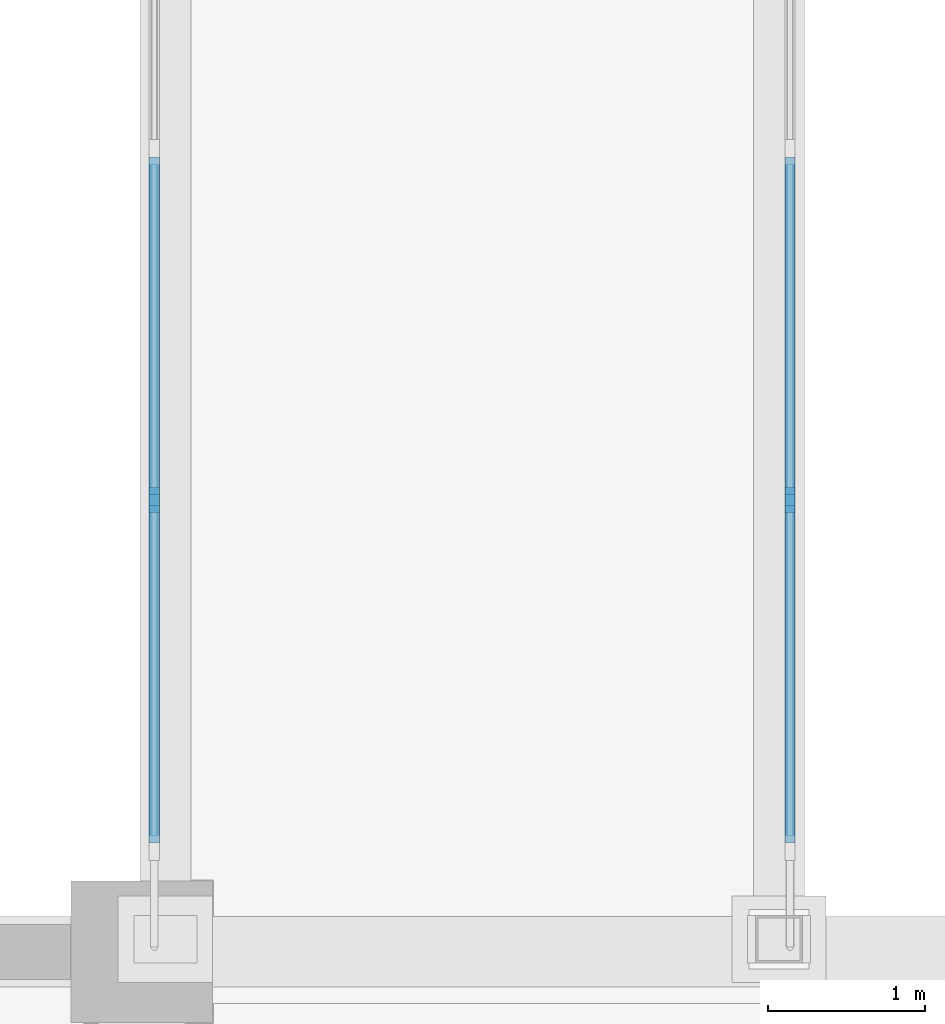
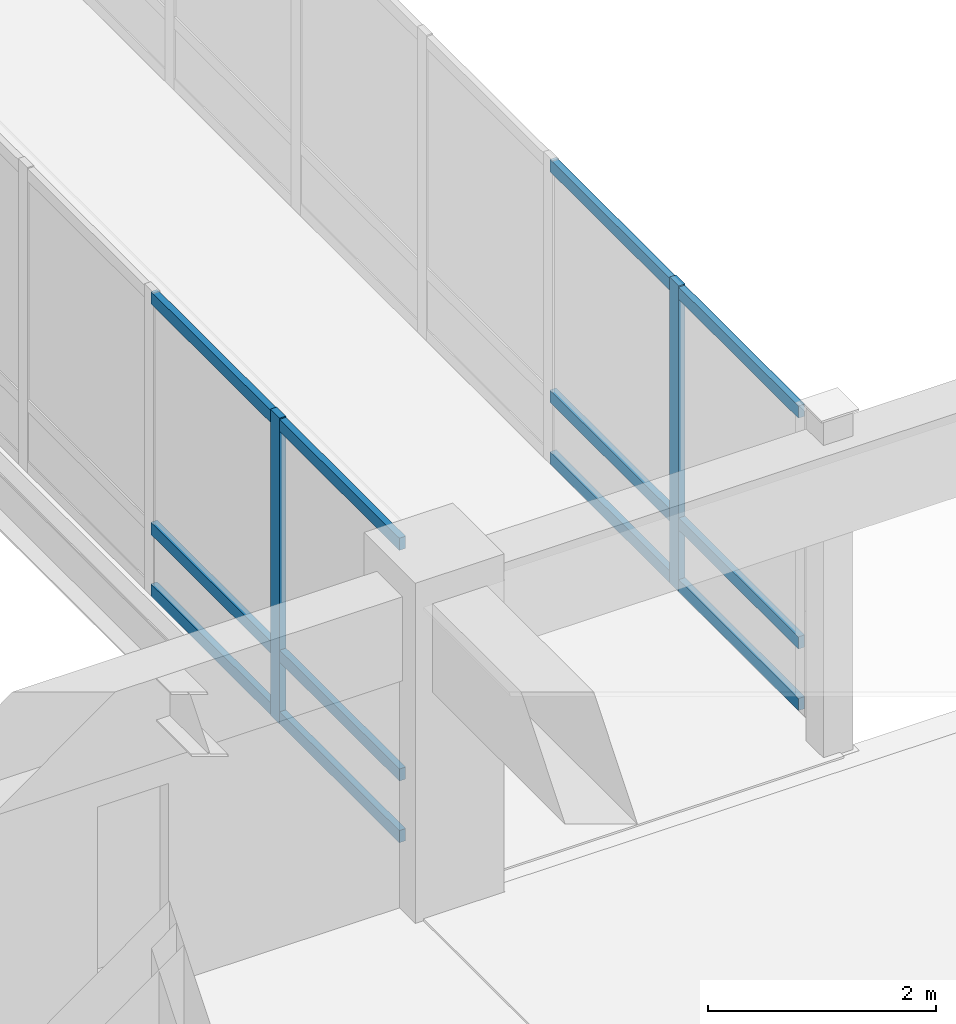
# One storey, part 18 of 118: 14 members, 2 elements without a shape of their own.
"""IFC4 building model written with IfcOpenShell, lengths in metres."""

from ifc_helpers import new_model, si_unit, direction, frame, origin, origin_2d, place, context, subcontext, project, spatial, rectangle, extrude, material, material_profile, profile_set, type_object, element, aggregate, save


model = new_model("IFC4")

# Units and contexts
model_context = context("Model", 3, precision=1e-05, world=origin(), true_north=direction((0.0, 1.0)))
body_context = subcontext(model_context, "Body", "Model", "MODEL_VIEW")
ifc_project = project(units=[si_unit("LENGTHUNIT", "METRE"), si_unit("AREAUNIT", "SQUARE_METRE"), si_unit("VOLUMEUNIT", "CUBIC_METRE"), si_unit("PLANEANGLEUNIT", "RADIAN"), si_unit("MASSUNIT", "GRAM", prefix="KILO")], contexts=[model_context])

# Site, building, storey
site_placement = place(None, origin())
site = spatial("IfcSite", under=ifc_project, at=site_placement, CompositionType="ELEMENT")
building_placement = place(site_placement, origin())
building = spatial("IfcBuilding", under=site, at=building_placement, Name="Cumbredor Promenade Congress Hotel", CompositionType="ELEMENT")
storey_placement = place(building_placement, frame((0.0, 0.0, 3.919921875)))
storey = spatial("IfcBuildingStorey", under=building, at=storey_placement, Name="L01", CompositionType="ELEMENT", Elevation=3.919921875)

# Curtain wall, member
ifc_material_1 = material(Name="Thermally broken anodized aluminium and low-E glass", Category="aluminium")
curtain_wall_type = type_object("IfcCurtainWallType", Name="Unitised Bridge Glazing Screen CW-05", PredefinedType="NOTDEFINED", material=ifc_material_1)
curtain_wall_1_placement = place(storey_placement, origin())
curtain_wall_1 = element("IfcCurtainWall", 1, at=curtain_wall_1_placement, inside=storey, type_object=curtain_wall_type, Name="L01 West Congress-to-Hotel Glazed Bridge West Glazing Screen", PredefinedType="NOTDEFINED")
ifc_material_2 = material(Name="Thermally broken anodized aluminium", Category="aluminium")
ifc_material_profile_1 = material_profile(ifc_material_2, rectangle(XDim=0.06494140625, YDim=0.159912109375, at=origin_2d()), Name="ALU MULLION 65x160")
ifc_profile_set_1 = profile_set([ifc_material_profile_1], Name="Thermally broken anodized aluminium")
member_type_1 = type_object("IfcMemberType", Name="Curtain Wall Mullion ML-01", PredefinedType="MULLION", material=ifc_profile_set_1)
member_1_placement = place(storey_placement, frame((25.280029296875, 70.0712890625, -0.0078125), z_axis=(0.0, 0.0, 1.0), x_axis=(1.0, 0.0, 0.0)))
member_1 = element("IfcMember", 2, at=member_1_placement, type_object=member_type_1, Name="L01 West Congress-to-Hotel Glazed Bridge West Glazing Screen Mullion 2", PredefinedType="MULLION", context=body_context, shape_type="SweptSolid", body=[
    extrude(rectangle(XDim=0.06494140625, YDim=0.159912109375, at=origin_2d()), origin(), (0.0, 0.0, 1.0), 3.27587890625),
])

curtain_wall_2_placement = place(storey_placement, origin())
curtain_wall_2 = element("IfcCurtainWall", 3, at=curtain_wall_2_placement, inside=storey, type_object=curtain_wall_type, Name="L01 West Congress-to-Hotel Glazed Bridge East Glazing Screen", PredefinedType="NOTDEFINED")
member_2_placement = place(storey_placement, frame((29.320068359375, 70.0712890625, -0.0078125), z_axis=(0.0, 0.0, 1.0), x_axis=(1.0, 0.0, 0.0)))
member_2 = element("IfcMember", 4, at=member_2_placement, type_object=member_type_1, Name="L01 West Congress-to-Hotel Glazed Bridge East Glazing Screen Mullion 2", PredefinedType="MULLION", context=body_context, shape_type="SweptSolid", body=[
    extrude(rectangle(XDim=0.06494140625, YDim=0.159912109375, at=origin_2d()), origin(), (0.0, 0.0, 1.0), 3.27587890625),
])

# Member
ifc_material_profile_2 = material_profile(ifc_material_2, rectangle(XDim=0.06494140625, YDim=0.1298828125, at=origin_2d()), Name="ALU TRANSOM 65x130")
ifc_profile_set_2 = profile_set([ifc_material_profile_2], Name="Thermally broken anodized aluminium")
member_type_2 = type_object("IfcMemberType", Name="Curtain Wall Transom TR-01", PredefinedType="USERDEFINED", material=ifc_profile_set_2)
member_3_placement = place(storey_placement, frame((25.280029296875, 67.892578125, 0.06005859375), z_axis=(0.0, 1.0, 0.0), x_axis=(-1.0, 0.0, 0.0)))
member_3 = element("IfcMember", 5, at=member_3_placement, type_object=member_type_2, Name="L01 West Congress-to-Hotel Glazed Bridge West Glazing Screen Transom 1.1", ObjectType="TRANSOM", PredefinedType="USERDEFINED", context=body_context, shape_type="SweptSolid", body=[
    extrude(rectangle(XDim=0.06494140625, YDim=0.1298828125, at=origin_2d()), origin(), (0.0, 0.0, 1.0), 2.146240234375),
])

member_4_placement = place(storey_placement, frame((25.280029296875, 67.892578125, 0.719970703125), z_axis=(0.0, 1.0, 0.0), x_axis=(-1.0, 0.0, 0.0)))
member_4 = element("IfcMember", 6, at=member_4_placement, type_object=member_type_2, Name="L01 West Congress-to-Hotel Glazed Bridge West Glazing Screen Transom 1.2", ObjectType="TRANSOM", PredefinedType="USERDEFINED", context=body_context, shape_type="SweptSolid", body=[
    extrude(rectangle(XDim=0.06494140625, YDim=0.1298828125, at=origin_2d()), origin(), (0.0, 0.0, 1.0), 2.146240234375),
])

member_5_placement = place(storey_placement, frame((25.280029296875, 67.892578125, 3.190185546875), z_axis=(0.0, 1.0, 0.0), x_axis=(-1.0, 0.0, 0.0)))
member_5 = element("IfcMember", 7, at=member_5_placement, type_object=member_type_2, Name="L01 West Congress-to-Hotel Glazed Bridge West Glazing Screen Transom 1.3", ObjectType="TRANSOM", PredefinedType="USERDEFINED", context=body_context, shape_type="SweptSolid", body=[
    extrude(rectangle(XDim=0.06494140625, YDim=0.1298828125, at=origin_2d()), origin(), (0.0, 0.0, 1.0), 2.146240234375),
])

member_6_placement = place(storey_placement, frame((25.280029296875, 70.10400390625, 0.06005859375), z_axis=(0.0, 1.0, 0.0), x_axis=(-1.0, 0.0, 0.0)))
member_6 = element("IfcMember", 8, at=member_6_placement, type_object=member_type_2, Name="L01 West Congress-to-Hotel Glazed Bridge West Glazing Screen Transom 2.1", ObjectType="TRANSOM", PredefinedType="USERDEFINED", context=body_context, shape_type="SweptSolid", body=[
    extrude(rectangle(XDim=0.06494140625, YDim=0.1298828125, at=origin_2d()), origin(), (0.0, 0.0, 1.0), 2.146484375),
])

member_7_placement = place(storey_placement, frame((25.280029296875, 70.10400390625, 0.719970703125), z_axis=(0.0, 1.0, 0.0), x_axis=(-1.0, 0.0, 0.0)))
member_7 = element("IfcMember", 9, at=member_7_placement, type_object=member_type_2, Name="L01 West Congress-to-Hotel Glazed Bridge West Glazing Screen Transom 2.2", ObjectType="TRANSOM", PredefinedType="USERDEFINED", context=body_context, shape_type="SweptSolid", body=[
    extrude(rectangle(XDim=0.06494140625, YDim=0.1298828125, at=origin_2d()), origin(), (0.0, 0.0, 1.0), 2.146484375),
])

member_8_placement = place(storey_placement, frame((25.280029296875, 70.10400390625, 3.190185546875), z_axis=(0.0, 1.0, 0.0), x_axis=(-1.0, 0.0, 0.0)))
member_8 = element("IfcMember", 10, at=member_8_placement, type_object=member_type_2, Name="L01 West Congress-to-Hotel Glazed Bridge West Glazing Screen Transom 2.3", ObjectType="TRANSOM", PredefinedType="USERDEFINED", context=body_context, shape_type="SweptSolid", body=[
    extrude(rectangle(XDim=0.06494140625, YDim=0.1298828125, at=origin_2d()), origin(), (0.0, 0.0, 1.0), 2.146484375),
])

aggregate(curtain_wall_1, [member_1, member_3, member_4, member_5, member_6, member_7, member_8])

member_9_placement = place(storey_placement, frame((29.320068359375, 67.892578125, 0.06005859375), z_axis=(0.0, 1.0, 0.0), x_axis=(-1.0, 0.0, 0.0)))
member_9 = element("IfcMember", 11, at=member_9_placement, type_object=member_type_2, Name="L01 West Congress-to-Hotel Glazed Bridge East Glazing Screen Transom 1.1", ObjectType="TRANSOM", PredefinedType="USERDEFINED", context=body_context, shape_type="SweptSolid", body=[
    extrude(rectangle(XDim=0.06494140625, YDim=0.1298828125, at=origin_2d()), origin(), (0.0, 0.0, 1.0), 2.146240234375),
])

member_10_placement = place(storey_placement, frame((29.320068359375, 67.892578125, 0.719970703125), z_axis=(0.0, 1.0, 0.0), x_axis=(-1.0, 0.0, 0.0)))
member_10 = element("IfcMember", 12, at=member_10_placement, type_object=member_type_2, Name="L01 West Congress-to-Hotel Glazed Bridge East Glazing Screen Transom 1.2", ObjectType="TRANSOM", PredefinedType="USERDEFINED", context=body_context, shape_type="SweptSolid", body=[
    extrude(rectangle(XDim=0.06494140625, YDim=0.1298828125, at=origin_2d()), origin(), (0.0, 0.0, 1.0), 2.146240234375),
])

member_11_placement = place(storey_placement, frame((29.320068359375, 67.892578125, 3.190185546875), z_axis=(0.0, 1.0, 0.0), x_axis=(-1.0, 0.0, 0.0)))
member_11 = element("IfcMember", 13, at=member_11_placement, type_object=member_type_2, Name="L01 West Congress-to-Hotel Glazed Bridge East Glazing Screen Transom 1.3", ObjectType="TRANSOM", PredefinedType="USERDEFINED", context=body_context, shape_type="SweptSolid", body=[
    extrude(rectangle(XDim=0.06494140625, YDim=0.1298828125, at=origin_2d()), origin(), (0.0, 0.0, 1.0), 2.146240234375),
])

member_12_placement = place(storey_placement, frame((29.320068359375, 70.10400390625, 0.06005859375), z_axis=(0.0, 1.0, 0.0), x_axis=(-1.0, 0.0, 0.0)))
member_12 = element("IfcMember", 14, at=member_12_placement, type_object=member_type_2, Name="L01 West Congress-to-Hotel Glazed Bridge East Glazing Screen Transom 2.1", ObjectType="TRANSOM", PredefinedType="USERDEFINED", context=body_context, shape_type="SweptSolid", body=[
    extrude(rectangle(XDim=0.06494140625, YDim=0.1298828125, at=origin_2d()), origin(), (0.0, 0.0, 1.0), 2.146484375),
])

member_13_placement = place(storey_placement, frame((29.320068359375, 70.10400390625, 0.719970703125), z_axis=(0.0, 1.0, 0.0), x_axis=(-1.0, 0.0, 0.0)))
member_13 = element("IfcMember", 15, at=member_13_placement, type_object=member_type_2, Name="L01 West Congress-to-Hotel Glazed Bridge East Glazing Screen Transom 2.2", ObjectType="TRANSOM", PredefinedType="USERDEFINED", context=body_context, shape_type="SweptSolid", body=[
    extrude(rectangle(XDim=0.06494140625, YDim=0.1298828125, at=origin_2d()), origin(), (0.0, 0.0, 1.0), 2.146484375),
])

member_14_placement = place(storey_placement, frame((29.320068359375, 70.10400390625, 3.190185546875), z_axis=(0.0, 1.0, 0.0), x_axis=(-1.0, 0.0, 0.0)))
member_14 = element("IfcMember", 16, at=member_14_placement, type_object=member_type_2, Name="L01 West Congress-to-Hotel Glazed Bridge East Glazing Screen Transom 2.3", ObjectType="TRANSOM", PredefinedType="USERDEFINED", context=body_context, shape_type="SweptSolid", body=[
    extrude(rectangle(XDim=0.06494140625, YDim=0.1298828125, at=origin_2d()), origin(), (0.0, 0.0, 1.0), 2.146484375),
])

aggregate(curtain_wall_2, [member_2, member_9, member_10, member_11, member_12, member_13, member_14])

save(model, "model.ifc")
